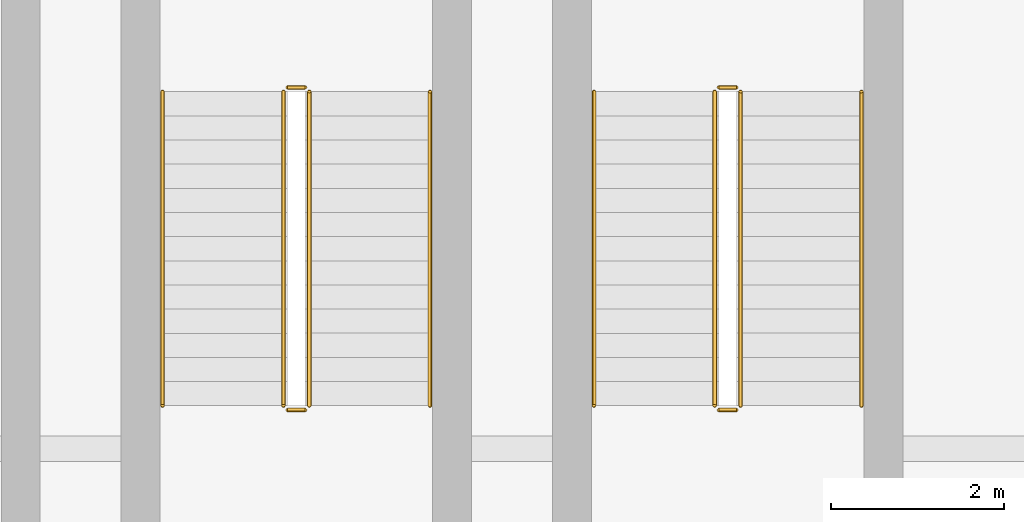
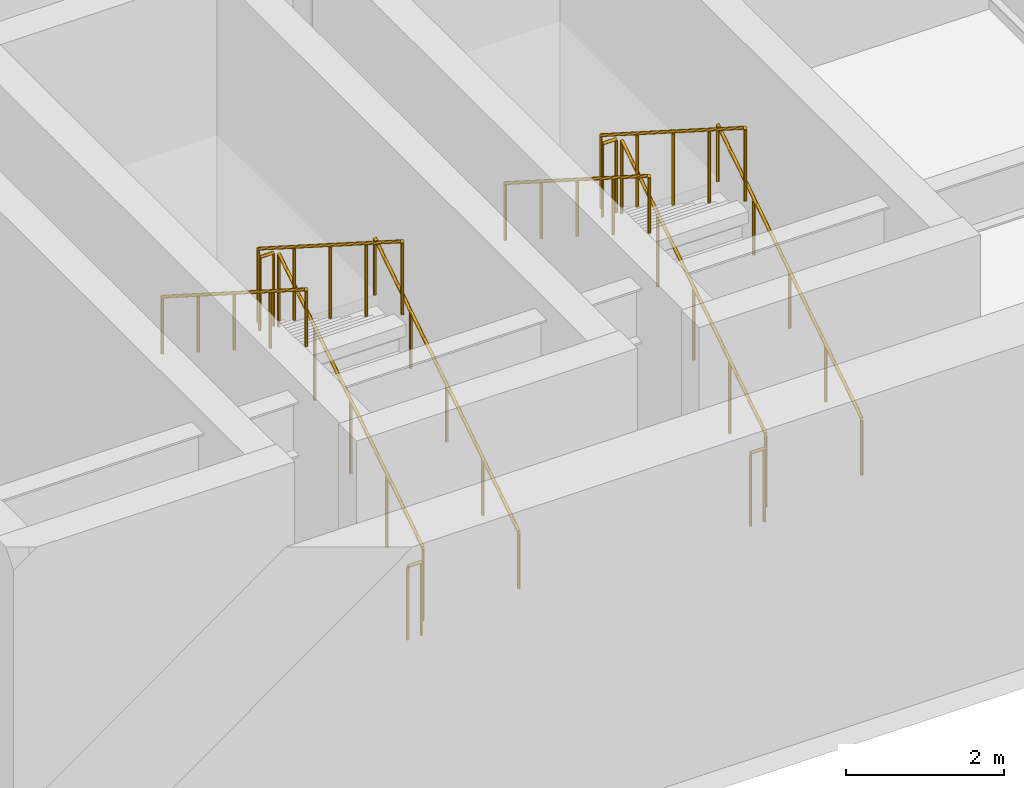
# One storey, part 14 of 16: 12 railings.
"""IFC4 building model written with IfcOpenShell, lengths in metres."""

from ifc_helpers import new_model, si_unit, derived_unit, direction, frame, origin, origin_2d, place, context, subcontext, project, spatial, circle, extrude, material, type_object, element, save


model = new_model("IFC4")

# Units and contexts
model_context = context("Model", 3, precision=1e-05, world=origin(), true_north=direction((0.0, 1.0)))
body_context = subcontext(model_context, "Body", "Model", "MODEL_VIEW")
ifc_project = project(units=[si_unit("LENGTHUNIT", "METRE"), si_unit("AREAUNIT", "SQUARE_METRE"), si_unit("VOLUMEUNIT", "CUBIC_METRE"), si_unit("PLANEANGLEUNIT", "RADIAN"), si_unit("MASSUNIT", "GRAM", prefix="KILO"), derived_unit("THERMALTRANSMITTANCEUNIT", [(si_unit("POWERUNIT", "WATT"), 1), (si_unit("LENGTHUNIT", "METRE"), -2), (si_unit("THERMODYNAMICTEMPERATUREUNIT", "KELVIN"), -1)])], contexts=[model_context])

# Site, building, storey
site_placement = place(None, origin())
site = spatial("IfcSite", under=ifc_project, at=site_placement, CompositionType="ELEMENT")
building_placement = place(site_placement, origin())
building = spatial("IfcBuilding", under=site, at=building_placement, Name="Skarnbrae Concourse Arena and Tower", CompositionType="ELEMENT")
storey_placement = place(building_placement, frame((0.0, 0.0, -5.0)))
storey = spatial("IfcBuildingStorey", under=building, at=storey_placement, Name="B01", CompositionType="ELEMENT", Elevation=-5.0)

# Railings
ifc_material = material(Name="Steel CSA G40.21 350W", Category="steel")
railing_type_1 = type_object("IfcRailingType", Name="RAIL-HANDRAIL-900", PredefinedType="HANDRAIL", material=ifc_material)
railing_1_placement = place(storey_placement, frame((69.550048828125, 4.5, 0.178466796875)))
element("IfcRailing", 1, at=railing_1_placement, inside=storey, type_object=railing_type_1, Name="B01 ST-B1 stair handrail 1", PredefinedType="HANDRAIL", context=body_context, shape_type="SweptSolid", body=[
    extrude(circle(Radius=0.02392578125, at=origin_2d()), frame((0.0, 0.0, 0.8759765625), z_axis=(0.0, 0.843111507901, 0.53773877045), x_axis=(-1.0, 0.0, 0.0)), (0.0, 0.0, 1.0), 4.317138671875),
    extrude(circle(Radius=0.02099609375, at=origin_2d()), origin(), (0.0, 0.0, 1.0), 0.851806640625),
    extrude(circle(Radius=0.02099609375, at=origin_2d()), frame((0.0, 0.909912109375, 0.580322265625)), (0.0, 0.0, 1.0), 0.851806640625),
    extrude(circle(Radius=0.02099609375, at=origin_2d()), frame((0.0, 1.81982421875, 1.16064453125)), (0.0, 0.0, 1.0), 0.851806640625),
    extrude(circle(Radius=0.02099609375, at=origin_2d()), frame((0.0, 2.72998046875, 1.7412109375)), (0.0, 0.0, 1.0), 0.851806640625),
    extrude(circle(Radius=0.02099609375, at=origin_2d()), frame((0.0, 3.639892578125, 2.321533203125)), (0.0, 0.0, 1.0), 0.851806640625),
])
railing_2_placement = place(storey_placement, frame((66.449951171875, 8.139892578125, 2.678466796875)))
element("IfcRailing", 2, at=railing_2_placement, inside=storey, type_object=railing_type_1, Name="B01 ST-B1 stair handrail 2", PredefinedType="HANDRAIL", context=body_context, shape_type="SweptSolid", body=[
    extrude(circle(Radius=0.02392578125, at=origin_2d()), frame((0.0, 0.0, 0.8759765625), z_axis=(0.0, -0.843111507901, 0.53773877045), x_axis=(1.0, 0.0, 0.0)), (0.0, 0.0, 1.0), 4.317138671875),
    extrude(circle(Radius=0.02099609375, at=origin_2d()), origin(), (0.0, 0.0, 1.0), 0.851806640625),
    extrude(circle(Radius=0.02099609375, at=origin_2d()), frame((0.0, -0.909912109375, 0.580322265625)), (0.0, 0.0, 1.0), 0.851806640625),
    extrude(circle(Radius=0.02099609375, at=origin_2d()), frame((0.0, -1.81982421875, 1.16064453125)), (0.0, 0.0, 1.0), 0.851806640625),
    extrude(circle(Radius=0.02099609375, at=origin_2d()), frame((0.0, -2.72998046875, 1.7412109375)), (0.0, 0.0, 1.0), 0.851806640625),
    extrude(circle(Radius=0.02099609375, at=origin_2d()), frame((0.0, -3.639892578125, 2.321533203125)), (0.0, 0.0, 1.0), 0.851806640625),
])
railing_3_placement = place(storey_placement, frame((74.550048828125, 4.5, 0.178466796875)))
element("IfcRailing", 3, at=railing_3_placement, inside=storey, type_object=railing_type_1, Name="B01 ST-B2 stair handrail 1", PredefinedType="HANDRAIL", context=body_context, shape_type="SweptSolid", body=[
    extrude(circle(Radius=0.02392578125, at=origin_2d()), frame((0.0, 0.0, 0.8759765625), z_axis=(0.0, 0.843111507901, 0.53773877045), x_axis=(-1.0, 0.0, 0.0)), (0.0, 0.0, 1.0), 4.317138671875),
    extrude(circle(Radius=0.02099609375, at=origin_2d()), origin(), (0.0, 0.0, 1.0), 0.851806640625),
    extrude(circle(Radius=0.02099609375, at=origin_2d()), frame((0.0, 0.909912109375, 0.580322265625)), (0.0, 0.0, 1.0), 0.851806640625),
    extrude(circle(Radius=0.02099609375, at=origin_2d()), frame((0.0, 1.81982421875, 1.16064453125)), (0.0, 0.0, 1.0), 0.851806640625),
    extrude(circle(Radius=0.02099609375, at=origin_2d()), frame((0.0, 2.72998046875, 1.7412109375)), (0.0, 0.0, 1.0), 0.851806640625),
    extrude(circle(Radius=0.02099609375, at=origin_2d()), frame((0.0, 3.639892578125, 2.321533203125)), (0.0, 0.0, 1.0), 0.851806640625),
])
railing_4_placement = place(storey_placement, frame((71.449951171875, 8.139892578125, 2.678466796875)))
element("IfcRailing", 4, at=railing_4_placement, inside=storey, type_object=railing_type_1, Name="B01 ST-B2 stair handrail 2", PredefinedType="HANDRAIL", context=body_context, shape_type="SweptSolid", body=[
    extrude(circle(Radius=0.02392578125, at=origin_2d()), frame((0.0, 0.0, 0.8759765625), z_axis=(0.0, -0.843111507901, 0.53773877045), x_axis=(1.0, 0.0, 0.0)), (0.0, 0.0, 1.0), 4.317138671875),
    extrude(circle(Radius=0.02099609375, at=origin_2d()), origin(), (0.0, 0.0, 1.0), 0.851806640625),
    extrude(circle(Radius=0.02099609375, at=origin_2d()), frame((0.0, -0.909912109375, 0.580322265625)), (0.0, 0.0, 1.0), 0.851806640625),
    extrude(circle(Radius=0.02099609375, at=origin_2d()), frame((0.0, -1.81982421875, 1.16064453125)), (0.0, 0.0, 1.0), 0.851806640625),
    extrude(circle(Radius=0.02099609375, at=origin_2d()), frame((0.0, -2.72998046875, 1.7412109375)), (0.0, 0.0, 1.0), 0.851806640625),
    extrude(circle(Radius=0.02099609375, at=origin_2d()), frame((0.0, -3.639892578125, 2.321533203125)), (0.0, 0.0, 1.0), 0.851806640625),
])
railing_type_2 = type_object("IfcRailingType", Name="RAIL-STAIR-GUARD-1150", PredefinedType="GUARDRAIL", material=ifc_material)
railing_5_placement = place(storey_placement, frame((68.14990234375, 4.5, 0.178466796875)))
element("IfcRailing", 5, at=railing_5_placement, inside=storey, type_object=railing_type_2, Name="B01 ST-B1 stair guard 1", PredefinedType="GUARDRAIL", context=body_context, shape_type="SweptSolid", body=[
    extrude(circle(Radius=0.02392578125, at=origin_2d()), frame((0.0, 0.0, 1.1259765625), z_axis=(0.0, 0.843111507901, 0.53773877045), x_axis=(-1.0, 0.0, 0.0)), (0.0, 0.0, 1.0), 4.317138671875),
    extrude(circle(Radius=0.02099609375, at=origin_2d()), origin(), (0.0, 0.0, 1.0), 1.101806640625),
    extrude(circle(Radius=0.02099609375, at=origin_2d()), frame((0.0, 0.909912109375, 0.580322265625)), (0.0, 0.0, 1.0), 1.101806640625),
    extrude(circle(Radius=0.02099609375, at=origin_2d()), frame((0.0, 1.81982421875, 1.16064453125)), (0.0, 0.0, 1.0), 1.101806640625),
    extrude(circle(Radius=0.02099609375, at=origin_2d()), frame((0.0, 2.72998046875, 1.7412109375)), (0.0, 0.0, 1.0), 1.101806640625),
    extrude(circle(Radius=0.02099609375, at=origin_2d()), frame((0.0, 3.639892578125, 2.321533203125)), (0.0, 0.0, 1.0), 1.101806640625),
])
railing_6_placement = place(storey_placement, frame((68.10009765625, 8.18994140625, 2.5)))
element("IfcRailing", 6, at=railing_6_placement, inside=storey, type_object=railing_type_2, Name="B01 ST-B1 stair guard 2", PredefinedType="GUARDRAIL", context=body_context, shape_type="SweptSolid", body=[
    extrude(circle(Radius=0.02392578125, at=origin_2d()), frame((0.0, 0.0, 1.1259765625), z_axis=(-1.0, 0.0, 0.0), x_axis=(0.0, -1.0, 0.0)), (0.0, 0.0, 1.0), 0.2001953125),
    extrude(circle(Radius=0.02099609375, at=origin_2d()), origin(), (0.0, 0.0, 1.0), 1.101806640625),
    extrude(circle(Radius=0.02099609375, at=origin_2d()), frame((-0.2001953125, 0.0, 0.0)), (0.0, 0.0, 1.0), 1.101806640625),
])
railing_7_placement = place(storey_placement, frame((67.85009765625, 8.139892578125, 2.678466796875)))
element("IfcRailing", 7, at=railing_7_placement, inside=storey, type_object=railing_type_2, Name="B01 ST-B1 stair guard 3", PredefinedType="GUARDRAIL", context=body_context, shape_type="SweptSolid", body=[
    extrude(circle(Radius=0.02392578125, at=origin_2d()), frame((0.0, 0.0, 1.1259765625), z_axis=(0.0, -0.843111507901, 0.53773877045), x_axis=(1.0, 0.0, 0.0)), (0.0, 0.0, 1.0), 4.317138671875),
    extrude(circle(Radius=0.02099609375, at=origin_2d()), origin(), (0.0, 0.0, 1.0), 1.101806640625),
    extrude(circle(Radius=0.02099609375, at=origin_2d()), frame((0.0, -0.909912109375, 0.580322265625)), (0.0, 0.0, 1.0), 1.101806640625),
    extrude(circle(Radius=0.02099609375, at=origin_2d()), frame((0.0, -1.81982421875, 1.16064453125)), (0.0, 0.0, 1.0), 1.101806640625),
    extrude(circle(Radius=0.02099609375, at=origin_2d()), frame((0.0, -2.72998046875, 1.7412109375)), (0.0, 0.0, 1.0), 1.101806640625),
    extrude(circle(Radius=0.02099609375, at=origin_2d()), frame((0.0, -3.639892578125, 2.321533203125)), (0.0, 0.0, 1.0), 1.101806640625),
])
railing_8_placement = place(storey_placement, frame((68.10009765625, 4.449951171875, 0.0)))
element("IfcRailing", 8, at=railing_8_placement, inside=storey, type_object=railing_type_2, Name="B01 ST-B1 stair guard 4", PredefinedType="GUARDRAIL", context=body_context, shape_type="SweptSolid", body=[
    extrude(circle(Radius=0.02392578125, at=origin_2d()), frame((0.0, 0.0, 1.1259765625), z_axis=(-1.0, 0.0, 0.0), x_axis=(0.0, -1.0, 0.0)), (0.0, 0.0, 1.0), 0.2001953125),
    extrude(circle(Radius=0.02099609375, at=origin_2d()), origin(), (0.0, 0.0, 1.0), 1.101806640625),
    extrude(circle(Radius=0.02099609375, at=origin_2d()), frame((-0.2001953125, 0.0, 0.0)), (0.0, 0.0, 1.0), 1.101806640625),
])
railing_9_placement = place(storey_placement, frame((73.14990234375, 4.5, 0.178466796875)))
element("IfcRailing", 9, at=railing_9_placement, inside=storey, type_object=railing_type_2, Name="B01 ST-B2 stair guard 1", PredefinedType="GUARDRAIL", context=body_context, shape_type="SweptSolid", body=[
    extrude(circle(Radius=0.02392578125, at=origin_2d()), frame((0.0, 0.0, 1.1259765625), z_axis=(0.0, 0.843111507901, 0.53773877045), x_axis=(-1.0, 0.0, 0.0)), (0.0, 0.0, 1.0), 4.317138671875),
    extrude(circle(Radius=0.02099609375, at=origin_2d()), origin(), (0.0, 0.0, 1.0), 1.101806640625),
    extrude(circle(Radius=0.02099609375, at=origin_2d()), frame((0.0, 0.909912109375, 0.580322265625)), (0.0, 0.0, 1.0), 1.101806640625),
    extrude(circle(Radius=0.02099609375, at=origin_2d()), frame((0.0, 1.81982421875, 1.16064453125)), (0.0, 0.0, 1.0), 1.101806640625),
    extrude(circle(Radius=0.02099609375, at=origin_2d()), frame((0.0, 2.72998046875, 1.7412109375)), (0.0, 0.0, 1.0), 1.101806640625),
    extrude(circle(Radius=0.02099609375, at=origin_2d()), frame((0.0, 3.639892578125, 2.321533203125)), (0.0, 0.0, 1.0), 1.101806640625),
])
railing_10_placement = place(storey_placement, frame((73.10009765625, 8.18994140625, 2.5)))
element("IfcRailing", 10, at=railing_10_placement, inside=storey, type_object=railing_type_2, Name="B01 ST-B2 stair guard 2", PredefinedType="GUARDRAIL", context=body_context, shape_type="SweptSolid", body=[
    extrude(circle(Radius=0.02392578125, at=origin_2d()), frame((0.0, 0.0, 1.1259765625), z_axis=(-1.0, 0.0, 0.0), x_axis=(0.0, -1.0, 0.0)), (0.0, 0.0, 1.0), 0.2001953125),
    extrude(circle(Radius=0.02099609375, at=origin_2d()), origin(), (0.0, 0.0, 1.0), 1.101806640625),
    extrude(circle(Radius=0.02099609375, at=origin_2d()), frame((-0.2001953125, 0.0, 0.0)), (0.0, 0.0, 1.0), 1.101806640625),
])
railing_11_placement = place(storey_placement, frame((72.85009765625, 8.139892578125, 2.678466796875)))
element("IfcRailing", 11, at=railing_11_placement, inside=storey, type_object=railing_type_2, Name="B01 ST-B2 stair guard 3", PredefinedType="GUARDRAIL", context=body_context, shape_type="SweptSolid", body=[
    extrude(circle(Radius=0.02392578125, at=origin_2d()), frame((0.0, 0.0, 1.1259765625), z_axis=(0.0, -0.843111507901, 0.53773877045), x_axis=(1.0, 0.0, 0.0)), (0.0, 0.0, 1.0), 4.317138671875),
    extrude(circle(Radius=0.02099609375, at=origin_2d()), origin(), (0.0, 0.0, 1.0), 1.101806640625),
    extrude(circle(Radius=0.02099609375, at=origin_2d()), frame((0.0, -0.909912109375, 0.580322265625)), (0.0, 0.0, 1.0), 1.101806640625),
    extrude(circle(Radius=0.02099609375, at=origin_2d()), frame((0.0, -1.81982421875, 1.16064453125)), (0.0, 0.0, 1.0), 1.101806640625),
    extrude(circle(Radius=0.02099609375, at=origin_2d()), frame((0.0, -2.72998046875, 1.7412109375)), (0.0, 0.0, 1.0), 1.101806640625),
    extrude(circle(Radius=0.02099609375, at=origin_2d()), frame((0.0, -3.639892578125, 2.321533203125)), (0.0, 0.0, 1.0), 1.101806640625),
])
railing_12_placement = place(storey_placement, frame((73.10009765625, 4.449951171875, 0.0)))
element("IfcRailing", 12, at=railing_12_placement, inside=storey, type_object=railing_type_2, Name="B01 ST-B2 stair guard 4", PredefinedType="GUARDRAIL", context=body_context, shape_type="SweptSolid", body=[
    extrude(circle(Radius=0.02392578125, at=origin_2d()), frame((0.0, 0.0, 1.1259765625), z_axis=(-1.0, 0.0, 0.0), x_axis=(0.0, -1.0, 0.0)), (0.0, 0.0, 1.0), 0.2001953125),
    extrude(circle(Radius=0.02099609375, at=origin_2d()), origin(), (0.0, 0.0, 1.0), 1.101806640625),
    extrude(circle(Radius=0.02099609375, at=origin_2d()), frame((-0.2001953125, 0.0, 0.0)), (0.0, 0.0, 1.0), 1.101806640625),
])

save(model, "model.ifc")
